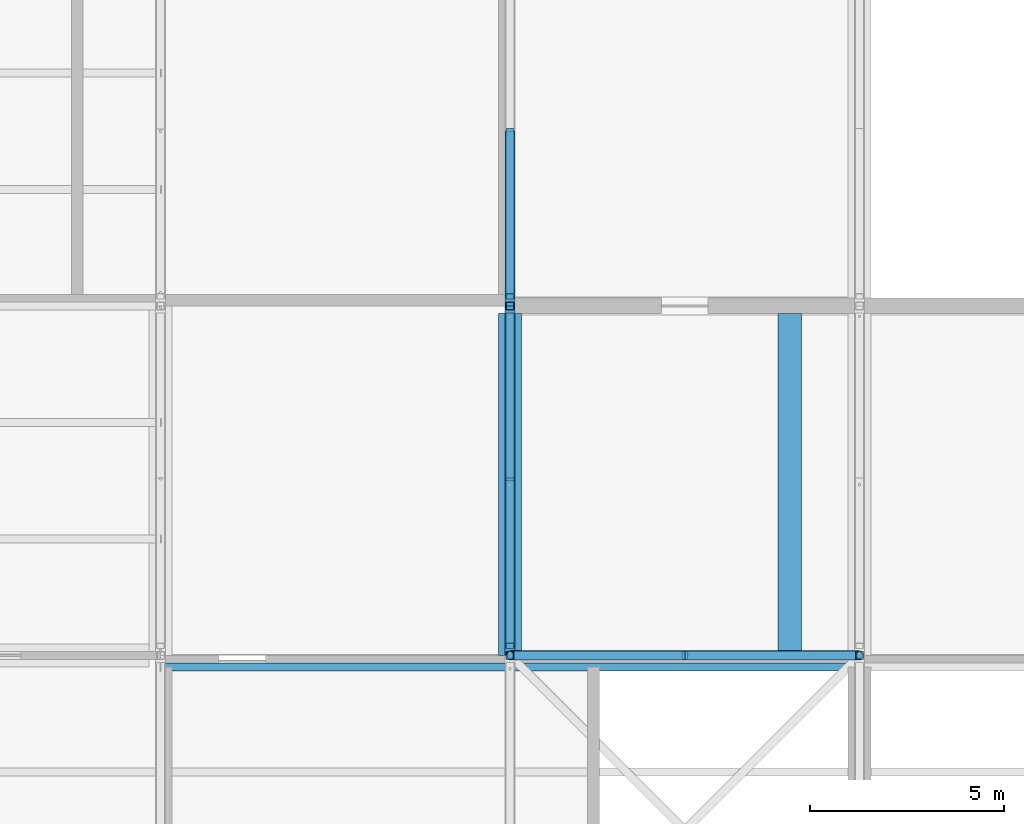
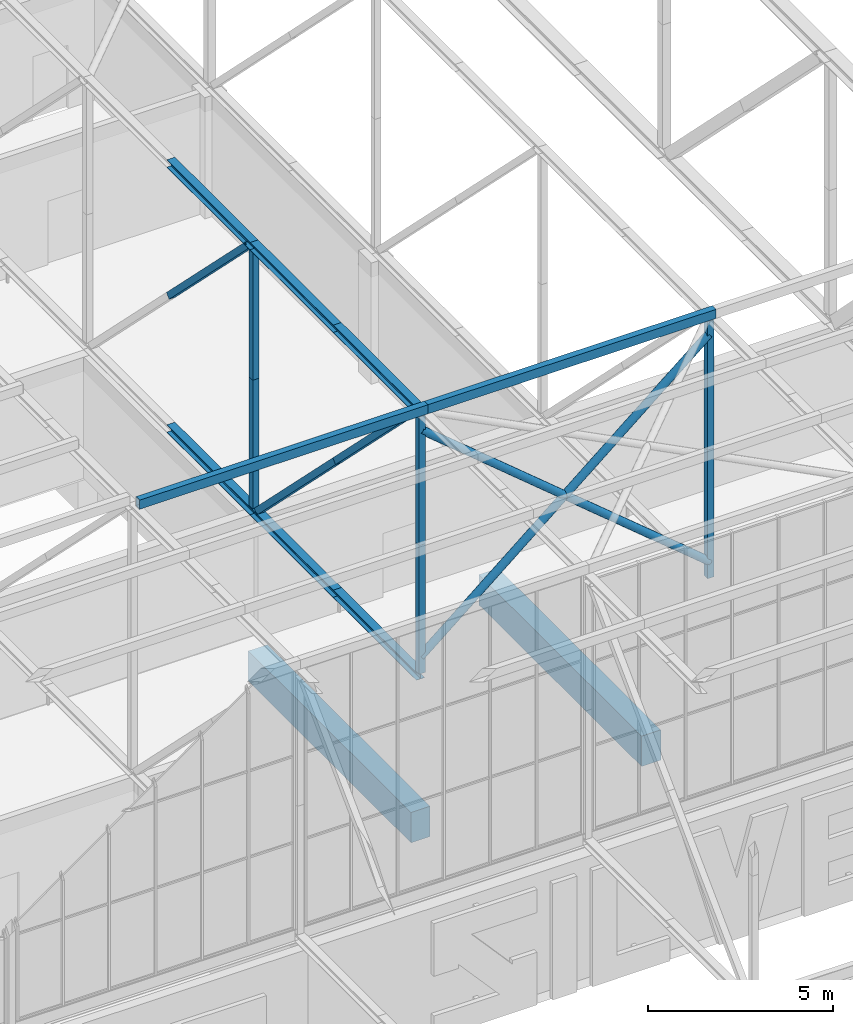
# One storey, part 20 of 646: 21 members, 2 beams.
"""IFC4 building model written with IfcOpenShell, lengths in metres."""

from ifc_helpers import new_model, si_unit, direction, frame, origin, origin_2d, place, context, subcontext, project, spatial, rectangle, hollow_rectangle, hollow_circle, i_section, extrude, material, material_profile, profile_set, type_object, element, save


model = new_model("IFC4")

# Units and contexts
model_context = context("Model", 3, precision=1e-05, world=origin(), true_north=direction((0.0, 1.0)))
body_context = subcontext(model_context, "Body", "Model", "MODEL_VIEW")
ifc_project = project(units=[si_unit("LENGTHUNIT", "METRE"), si_unit("AREAUNIT", "SQUARE_METRE"), si_unit("VOLUMEUNIT", "CUBIC_METRE"), si_unit("PLANEANGLEUNIT", "RADIAN"), si_unit("MASSUNIT", "GRAM", prefix="KILO")], contexts=[model_context])

# Site, building, storey
site_placement = place(None, origin())
site = spatial("IfcSite", under=ifc_project, at=site_placement, CompositionType="ELEMENT")
building_placement = place(site_placement, origin())
building = spatial("IfcBuilding", under=site, at=building_placement, Name="Silverbay Arena", CompositionType="ELEMENT")
storey_placement = place(building_placement, frame((0.0, 0.0, 33.5)))
storey = spatial("IfcBuildingStorey", under=building, at=storey_placement, Name="L05", CompositionType="ELEMENT", Elevation=33.5)

# Members
ifc_material_1 = material(Name="Steel S355", Category="steel")
ifc_material_profile_1 = material_profile(ifc_material_1, i_section(OverallWidth=0.254638671875, OverallDepth=0.254150390625, WebThickness=0.008544921875, FlangeThickness=0.01416015625, at=origin_2d()), Name="UC 254x254x73")
ifc_profile_set_1 = profile_set([ifc_material_profile_1], Name="Steel S355")
member_type_1 = type_object("IfcMemberType", Name="Medium-span bottom chord UC 254x254x73", PredefinedType="CHORD", material=ifc_profile_set_1)
for number, where, z_axis, x_axis, name in (
    (1, (90.0, 27.0, 4.126953125), (0.0, 1.0, 0.0), (-1.0, 0.0, 0.0), "ROOF TRUSS 11 bottom chord 03a"),
    (2, (90.0, 31.5, 4.126953125), (0.0, 1.0, 0.0), (-1.0, 0.0, 0.0), "ROOF TRUSS 11 bottom chord 03b"),
    (3, (90.0, 36.0, 4.126953125), (0.0, 1.0, 0.0), (-1.0, 0.0, 0.0), "ROOF TRUSS 11 bottom chord 04a"),
):
    element("IfcMember", number, at=place(storey_placement, frame(where, z_axis=z_axis, x_axis=x_axis)), inside=storey, type_object=member_type_1, Name=name, PredefinedType="CHORD", context=body_context, shape_type="SweptSolid", body=[
        extrude(i_section(OverallWidth=0.254638671875, OverallDepth=0.254150390625, WebThickness=0.008544921875, FlangeThickness=0.01416015625, at=origin_2d()), origin(), (0.0, 0.0, 1.0), 4.5),
    ])
ifc_material_2 = material(Name="Steel S355", Category="steel")
ifc_material_profile_2 = material_profile(ifc_material_2, i_section(OverallWidth=0.254638671875, OverallDepth=0.254150390625, WebThickness=0.008544921875, FlangeThickness=0.01416015625, at=origin_2d()), Name="UC 254x254x73")
ifc_profile_set_2 = profile_set([ifc_material_profile_2], Name="Steel S355")
member_type_2 = type_object("IfcMemberType", Name="Medium-span top chord UC 254x254x73", PredefinedType="CHORD", material=ifc_profile_set_2)
for number, where, z_axis, x_axis, name in (
    (4, (90.0, 27.0, 12.873046875), (0.0, 1.0, 0.0), (-1.0, 0.0, 0.0), "ROOF TRUSS 11 top chord 03a"),
    (5, (90.0, 31.5, 12.873046875), (0.0, 1.0, 0.0), (-1.0, 0.0, 0.0), "ROOF TRUSS 11 top chord 03b"),
    (6, (90.0, 36.0, 12.873046875), (0.0, 1.0, 0.0), (-1.0, 0.0, 0.0), "ROOF TRUSS 11 top chord 04a"),
):
    element("IfcMember", number, at=place(storey_placement, frame(where, z_axis=z_axis, x_axis=x_axis)), inside=storey, type_object=member_type_2, Name=name, PredefinedType="CHORD", context=body_context, shape_type="SweptSolid", body=[
        extrude(i_section(OverallWidth=0.254638671875, OverallDepth=0.254150390625, WebThickness=0.008544921875, FlangeThickness=0.01416015625, at=origin_2d()), origin(), (0.0, 0.0, 1.0), 4.5),
    ])
ifc_material_3 = material(Name="Steel S355", Category="steel")
ifc_material_profile_3 = material_profile(ifc_material_3, hollow_rectangle(XDim=0.199951171875, YDim=0.199951171875, WallThickness=0.008056640625, at=origin_2d()), Name="SHS 200x200x8")
ifc_profile_set_3 = profile_set([ifc_material_profile_3], Name="Steel S355")
member_type_3 = type_object("IfcMemberType", Name="Medium-span truss diagonal SHS 200x200x8", PredefinedType="BRACE", material=ifc_profile_set_3)
for number, where, z_axis, x_axis, name in (
    (7, (90.0, 27.24560546875, 12.745849609375), (0.0, 0.70781724692, -0.706395600894), (-1.0, 0.0, 0.0), "ROOF TRUSS 11 diagonal 03a"),
    (8, (90.0, 31.5, 8.5), (0.0, 0.70781724692, -0.706395600894), (-1.0, 0.0, 0.0), "ROOF TRUSS 11 diagonal 03b"),
    (9, (90.0, 36.24560546875, 12.745849609375), (0.0, 0.70781724692, -0.706395600894), (-1.0, 0.0, 0.0), "ROOF TRUSS 11 diagonal 04a"),
):
    element("IfcMember", number, at=place(storey_placement, frame(where, z_axis=z_axis, x_axis=x_axis)), inside=storey, type_object=member_type_3, Name=name, PredefinedType="BRACE", context=body_context, shape_type="SweptSolid", body=[
        extrude(hollow_rectangle(XDim=0.199951171875, YDim=0.199951171875, WallThickness=0.008056640625, at=origin_2d()), origin(), (0.0, 0.0, 1.0), 6.010498046875),
    ])
ifc_material_4 = material(Name="Steel S355", Category="steel")
ifc_material_profile_4 = material_profile(ifc_material_4, hollow_rectangle(XDim=0.199951171875, YDim=0.199951171875, WallThickness=0.008056640625, at=origin_2d()), Name="SHS 200x200x8")
ifc_profile_set_4 = profile_set([ifc_material_profile_4], Name="Steel S355")
member_type_4 = type_object("IfcMemberType", Name="Medium-span truss vertical SHS 200x200x8", PredefinedType="STRUT", material=ifc_profile_set_4)
for number, where, z_axis, x_axis, name in (
    (10, (90.0, 27.0, 4.254150390625), (0.0, 0.0, 1.0), (1.0, 0.0, 0.0), "ROOF TRUSS 11 vertical 03a"),
    (11, (90.0, 27.0, 8.5), (0.0, 0.0, 1.0), (1.0, 0.0, 0.0), "ROOF TRUSS 11 vertical 03b"),
    (12, (90.0, 36.0, 4.254150390625), (0.0, 0.0, 1.0), (1.0, 0.0, 0.0), "ROOF TRUSS 11 vertical 04a"),
    (13, (90.0, 36.0, 8.5), (0.0, 0.0, 1.0), (1.0, 0.0, 0.0), "ROOF TRUSS 11 vertical 04b"),
    (14, (99.0, 27.0, 4.254150390625), (0.0, 0.0, 1.0), (1.0, 0.0, 0.0), "ROOF TRUSS 12 vertical 03a"),
    (15, (99.0, 27.0, 8.5), (0.0, 0.0, 1.0), (1.0, 0.0, 0.0), "ROOF TRUSS 12 vertical 03b"),
):
    element("IfcMember", number, at=place(storey_placement, frame(where, z_axis=z_axis, x_axis=x_axis)), inside=storey, type_object=member_type_4, Name=name, PredefinedType="STRUT", context=body_context, shape_type="SweptSolid", body=[
        extrude(hollow_rectangle(XDim=0.199951171875, YDim=0.199951171875, WallThickness=0.008056640625, at=origin_2d()), origin(), (0.0, 0.0, 1.0), 4.245849609375),
    ])
ifc_material_5 = material(Name="Steel S355", Category="steel")
ifc_material_profile_5 = material_profile(ifc_material_5, hollow_rectangle(XDim=0.199951171875, YDim=0.300048828125, WallThickness=0.00634765625, at=origin_2d()), Name="RHS 300x200x6.3")
ifc_profile_set_5 = profile_set([ifc_material_profile_5], Name="Steel S355")
member_type_5 = type_object("IfcMemberType", Name="Purlin RHS 300x200x6.3", PredefinedType="PURLIN", material=ifc_profile_set_5)
for number, where, z_axis, x_axis, name in (
    (16, (81.0, 26.699951171875, 13.14990234375), (1.0, 0.0, 0.0), (0.0, 1.0, 0.0), "ROOF PURLIN crown rim south 10-11"),
    (17, (90.0, 26.699951171875, 13.14990234375), (1.0, 0.0, 0.0), (0.0, 1.0, 0.0), "ROOF PURLIN crown rim south 11-12"),
):
    element("IfcMember", number, at=place(storey_placement, frame(where, z_axis=z_axis, x_axis=x_axis)), inside=storey, type_object=member_type_5, Name=name, PredefinedType="PURLIN", context=body_context, shape_type="SweptSolid", body=[
        extrude(hollow_rectangle(XDim=0.199951171875, YDim=0.300048828125, WallThickness=0.00634765625, at=origin_2d()), origin(), (0.0, 0.0, 1.0), 9.0),
    ])

# Beams
ifc_material_6 = material(Name="Concrete Grade C45", Category="concrete")
ifc_material_profile_6 = material_profile(ifc_material_6, rectangle(XDim=0.60009765625, YDim=1.0, at=origin_2d()), Name="RC 600x1000")
ifc_profile_set_6 = profile_set([ifc_material_profile_6], Name="Concrete Grade C45")
beam_type = type_object("IfcBeamType", Name="RC beam 600x1000", PredefinedType="BEAM", material=ifc_profile_set_6)
for number, where, z_axis, x_axis, name in (
    (18, (90.0, 27.0, -0.800048828125), (0.0, 1.0, 0.0), (-1.0, 0.0, 0.0), "Floor beam L05 089"),
    (19, (97.199951171875, 27.0, -0.800048828125), (0.0, 1.0, 0.0), (-1.0, 0.0, 0.0), "Floor beam L05 095"),
):
    element("IfcBeam", number, at=place(storey_placement, frame(where, z_axis=z_axis, x_axis=x_axis)), inside=storey, type_object=beam_type, Name=name, PredefinedType="BEAM", context=body_context, shape_type="SweptSolid", body=[
        extrude(rectangle(XDim=0.60009765625, YDim=1.0, at=origin_2d()), origin(), (0.0, 0.0, 1.0), 8.800048828125),
    ])

# Members
ifc_material_7 = material(Name="Steel S355", Category="steel")
ifc_material_profile_7 = material_profile(ifc_material_7, hollow_circle(Radius=0.122314453125, WallThickness=0.00634765625, at=origin_2d()), Name="CHS 244.5x6.3")
ifc_profile_set_7 = profile_set([ifc_material_profile_7], Name="Steel S355")
member_type_6 = type_object("IfcMemberType", Name="Vertical bracing CHS 244.5x6.3", PredefinedType="BRACE", material=ifc_profile_set_7)
for number, where, z_axis, x_axis, name in (
    (20, (90.0, 27.0, 4.754150390625), (0.768569784798, 0.0, 0.639765961814), (0.0, 1.0, 0.0), "ROOF BRACING vertical 11-12 line 03 Aa"),
    (21, (94.5, 27.0, 8.5), (0.768569784798, 0.0, 0.639765961814), (0.0, 1.0, 0.0), "ROOF BRACING vertical 11-12 line 03 Ab"),
    (22, (90.0, 27.0, 12.245849609375), (0.768569784798, 0.0, -0.639765961814), (0.0, 1.0, 0.0), "ROOF BRACING vertical 11-12 line 03 Ba"),
    (23, (94.5, 27.0, 8.5), (0.768569784798, 0.0, -0.639765961814), (0.0, 1.0, 0.0), "ROOF BRACING vertical 11-12 line 03 Bb"),
):
    element("IfcMember", number, at=place(storey_placement, frame(where, z_axis=z_axis, x_axis=x_axis)), inside=storey, type_object=member_type_6, Name=name, PredefinedType="BRACE", context=body_context, shape_type="SweptSolid", body=[
        extrude(hollow_circle(Radius=0.122314453125, WallThickness=0.00634765625, at=origin_2d()), origin(), (0.0, 0.0, 1.0), 5.85498046875),
    ])

save(model, "model.ifc")
